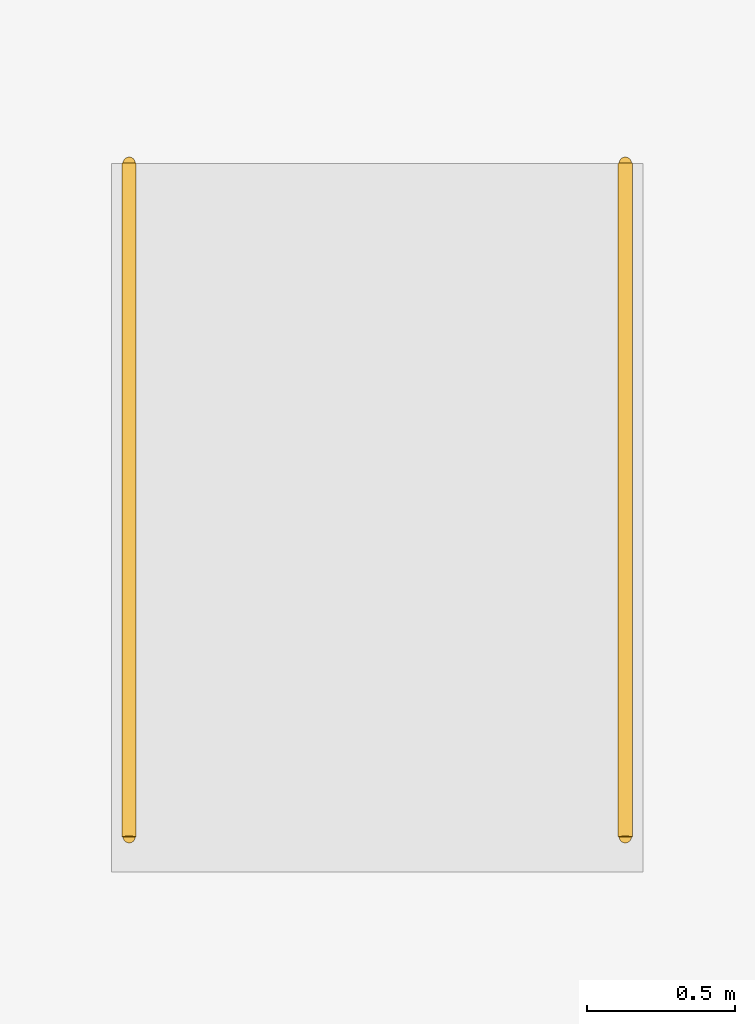
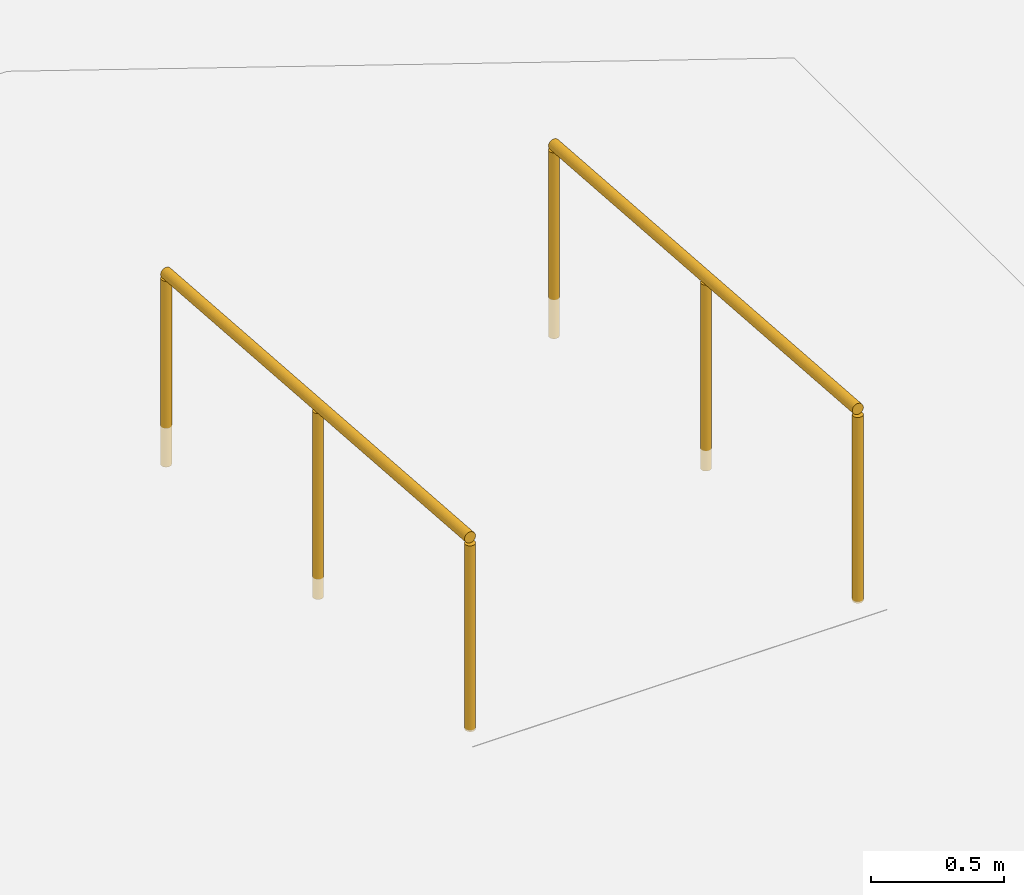
# One storey, part 141 of 142: 2 railings.
"""IFC4 building model written with IfcOpenShell, lengths in metres."""

from ifc_helpers import new_model, si_unit, direction, frame, origin, origin_2d, place, context, subcontext, project, spatial, circle, extrude, material, type_object, element, save


model = new_model("IFC4")

# Units and contexts
model_context = context("Model", 3, precision=1e-05, world=origin(), true_north=direction((0.0, 1.0)))
body_context = subcontext(model_context, "Body", "Model", "MODEL_VIEW")
ifc_project = project(units=[si_unit("LENGTHUNIT", "METRE"), si_unit("AREAUNIT", "SQUARE_METRE"), si_unit("VOLUMEUNIT", "CUBIC_METRE"), si_unit("PLANEANGLEUNIT", "RADIAN"), si_unit("MASSUNIT", "GRAM", prefix="KILO")], contexts=[model_context])

# Site, building, storey
site_placement = place(None, origin())
site = spatial("IfcSite", under=ifc_project, at=site_placement, CompositionType="ELEMENT")
building_placement = place(site_placement, origin())
building = spatial("IfcBuilding", under=site, at=building_placement, Name="Coralgate Yard Interchange", CompositionType="ELEMENT")
storey_placement = place(building_placement, origin())
storey = spatial("IfcBuildingStorey", under=building, at=storey_placement, Name="L00", CompositionType="ELEMENT", Elevation=0.0)

# Railings
ifc_material = material(Name="Grade 316 marine stainless steel", Category="steel")
railing_type = type_object("IfcRailingType", Name="RLG-HR900", PredefinedType="HANDRAIL", material=ifc_material)
for number, where, name in (
    (1, (147.9599609375, 100.5, -0.179931640625), "Bus island east accessible ramp handrail L"),
    (2, (149.639892578125, 100.5, -0.179931640625), "Bus island east accessible ramp handrail R"),
):
    element("IfcRailing", number, at=place(storey_placement, frame(where)), inside=storey, type_object=railing_type, Name=name, PredefinedType="HANDRAIL", context=body_context, shape_type="SweptSolid", body=[
        extrude(circle(Radius=0.02392578125, at=origin_2d()), frame((0.0, 0.0, 0.8759765625), z_axis=(0.0, -0.997202693388, 0.07474482122), x_axis=(1.0, 0.0, 0.0)), (0.0, 0.0, 1.0), 2.286376953125),
        extrude(circle(Radius=0.02099609375, at=origin_2d()), origin(), (0.0, 0.0, 1.0), 0.851318359375),
        extrude(circle(Radius=0.02099609375, at=origin_2d()), frame((0.0, -1.14013671875, 0.08544921875)), (0.0, 0.0, 1.0), 0.851318359375),
        extrude(circle(Radius=0.02099609375, at=origin_2d()), frame((0.0, -2.280029296875, 0.1708984375)), (0.0, 0.0, 1.0), 0.851318359375),
    ])

save(model, "model.ifc")
